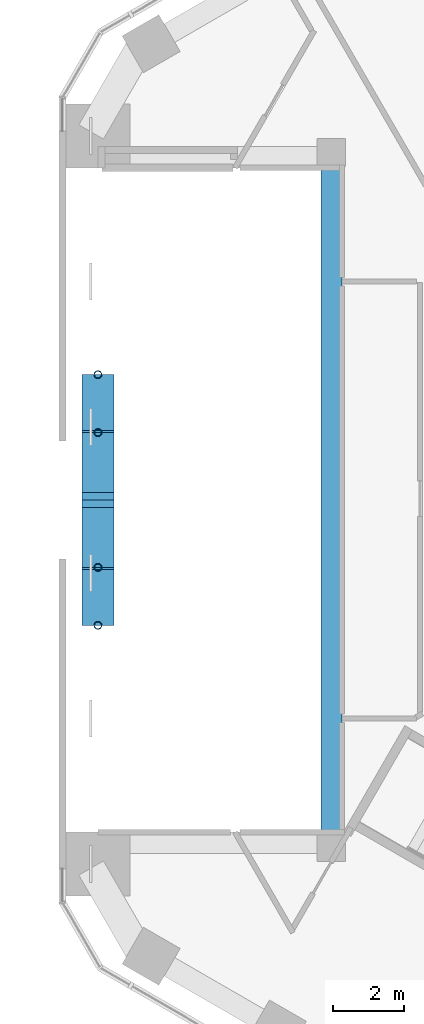
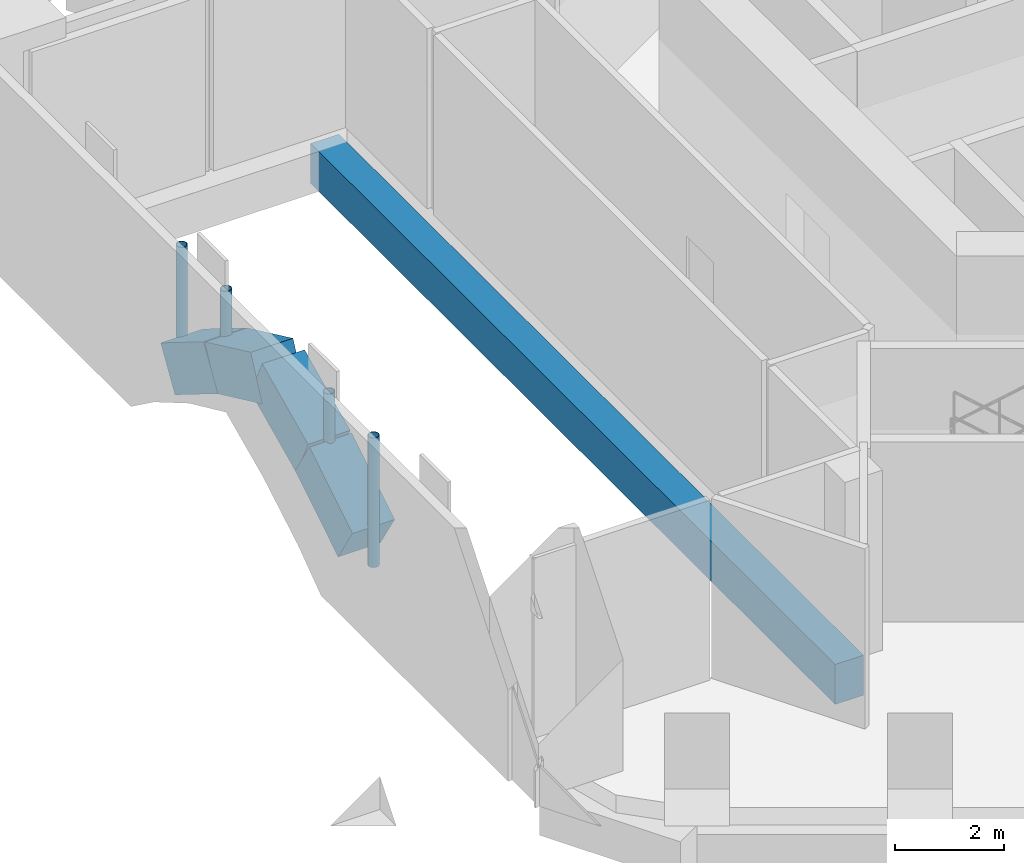
# One storey, part 3 of 14: 5 beams, 4 members.
"""IFC4 building model written with IfcOpenShell, lengths in metres."""

from ifc_helpers import new_model, si_unit, direction, frame, origin, origin_2d, place, context, subcontext, project, spatial, rectangle, hollow_circle, extrude, material, material_profile, profile_set, type_object, element, save


model = new_model("IFC4")

# Units and contexts
model_context = context("Model", 3, precision=1e-05, world=origin(), true_north=direction((0.0, 1.0)))
body_context = subcontext(model_context, "Body", "Model", "MODEL_VIEW")
ifc_project = project(units=[si_unit("LENGTHUNIT", "METRE"), si_unit("AREAUNIT", "SQUARE_METRE"), si_unit("VOLUMEUNIT", "CUBIC_METRE"), si_unit("PLANEANGLEUNIT", "RADIAN"), si_unit("MASSUNIT", "GRAM", prefix="KILO")], contexts=[model_context])

# Site, building, storey
site_placement = place(None, origin())
site = spatial("IfcSite", under=ifc_project, at=site_placement, CompositionType="ELEMENT")
building_placement = place(site_placement, origin())
building = spatial("IfcBuilding", under=site, at=building_placement, Name="Ayvan Gate Tower", CompositionType="ELEMENT")
storey_placement = place(building_placement, frame((0.0, 0.0, 16.0)))
storey = spatial("IfcBuildingStorey", under=building, at=storey_placement, Name="L03", CompositionType="ELEMENT", Elevation=16.0)

# Beams
ifc_material_1 = material(Name="Concrete C60/75", Category="concrete")
ifc_material_profile_1 = material_profile(ifc_material_1, rectangle(XDim=0.89990234375, YDim=1.0, at=origin_2d()), Name="RC 900x1000")
ifc_profile_set_1 = profile_set([ifc_material_profile_1], Name="Concrete C60/75")
beam_type_1 = type_object("IfcBeamType", Name="Arch rib RC 900x1000 C60/75", PredefinedType="BEAM", material=ifc_profile_set_1)
for number, where, z_axis, x_axis, name in (
    (1, (-20.78466796875, 3.271484375, 0.762939453125), (0.0, -0.848813766161, 0.528691961709), (1.0, 0.0, 0.0), "AR-3-9"),
    (2, (-20.78466796875, 1.688720703125, 1.748779296875), (0.0, -0.905627110622, 0.424074918506), (1.0, 0.0, 0.0), "AR-3-10"),
    (3, (-20.78466796875, 0.0, 2.53955078125), (0.0, -0.905627110622, -0.424074918506), (1.0, 0.0, 0.0), "AR-3-11"),
    (4, (-20.78466796875, -1.688720703125, 1.748779296875), (0.0, -0.848813766161, -0.528691961709), (1.0, 0.0, 0.0), "AR-3-12"),
):
    element("IfcBeam", number, at=place(storey_placement, frame(where, z_axis=z_axis, x_axis=x_axis)), inside=storey, type_object=beam_type_1, Name=name, PredefinedType="BEAM", context=body_context, shape_type="SweptSolid", body=[
        extrude(rectangle(XDim=0.89990234375, YDim=1.0, at=origin_2d()), origin(), (0.0, 0.0, 1.0), 1.86474609375),
    ])

# Members
ifc_material_2 = material(Name="Steel S460NH", Category="steel")
ifc_material_profile_2 = material_profile(ifc_material_2, hollow_circle(Radius=0.109619140625, WallThickness=0.012451171875, at=origin_2d()), Name="CHS 219.1x12.5")
ifc_profile_set_2 = profile_set([ifc_material_profile_2], Name="Steel S460NH")
member_type = type_object("IfcMemberType", Name="Arch rib hanger CHS 219.1x12.5", PredefinedType="STRUT", material=ifc_profile_set_2)
member_1_placement = place(storey_placement, frame((-20.78466796875, 3.535888671875, 0.33837890625), z_axis=(0.0, 0.0, 1.0), x_axis=(1.0, 0.0, 0.0)))
element("IfcMember", 5, at=member_1_placement, inside=storey, type_object=member_type, Name="ARH-3-9", PredefinedType="STRUT", context=body_context, shape_type="SweptSolid", body=[
    extrude(hollow_circle(Radius=0.109619140625, WallThickness=0.012451171875, at=origin_2d()), origin(), (0.0, 0.0, 1.0), 2.91162109375),
])
for number, where, z_axis, x_axis, name in (
    (6, (-20.78466796875, 1.90087890625, 1.2958984375), (0.0, 0.0, 1.0), (1.0, 0.0, 0.0), "ARH-3-10"),
    (7, (-20.78466796875, -1.90087890625, 1.2958984375), (0.0, 0.0, 1.0), (1.0, 0.0, 0.0), "ARH-3-11"),
):
    element("IfcMember", number, at=place(storey_placement, frame(where, z_axis=z_axis, x_axis=x_axis)), inside=storey, type_object=member_type, Name=name, PredefinedType="STRUT", context=body_context, shape_type="SweptSolid", body=[
        extrude(hollow_circle(Radius=0.109619140625, WallThickness=0.012451171875, at=origin_2d()), origin(), (0.0, 0.0, 1.0), 1.9541015625),
    ])
member_2_placement = place(storey_placement, frame((-20.78466796875, -3.535888671875, 0.33837890625), z_axis=(0.0, 0.0, 1.0), x_axis=(1.0, 0.0, 0.0)))
element("IfcMember", 8, at=member_2_placement, inside=storey, type_object=member_type, Name="ARH-3-12", PredefinedType="STRUT", context=body_context, shape_type="SweptSolid", body=[
    extrude(hollow_circle(Radius=0.109619140625, WallThickness=0.012451171875, at=origin_2d()), origin(), (0.0, 0.0, 1.0), 2.91162109375),
])

# Beam
ifc_material_3 = material(Name="Concrete C40/50", Category="concrete")
ifc_material_profile_3 = material_profile(ifc_material_3, rectangle(XDim=0.60009765625, YDim=0.89990234375, at=origin_2d()), Name="RC 600x900")
ifc_profile_set_3 = profile_set([ifc_material_profile_3], Name="Concrete C40/50")
beam_type_2 = type_object("IfcBeamType", Name="Opening edge beam RC 600x900 C40/50", PredefinedType="BEAM", material=ifc_profile_set_3)
beam_placement = place(storey_placement, frame((-14.199951171875, 9.66796875, -0.85009765625), z_axis=(0.0, -1.0, 0.0), x_axis=(1.0, 0.0, 0.0)))
element("IfcBeam", 9, at=beam_placement, inside=storey, type_object=beam_type_2, Name="OB-L03-3-C", PredefinedType="BEAM", context=body_context, shape_type="SweptSolid", body=[
    extrude(rectangle(XDim=0.60009765625, YDim=0.89990234375, at=origin_2d()), origin(), (0.0, 0.0, 1.0), 19.3359375),
])

save(model, "model.ifc")
